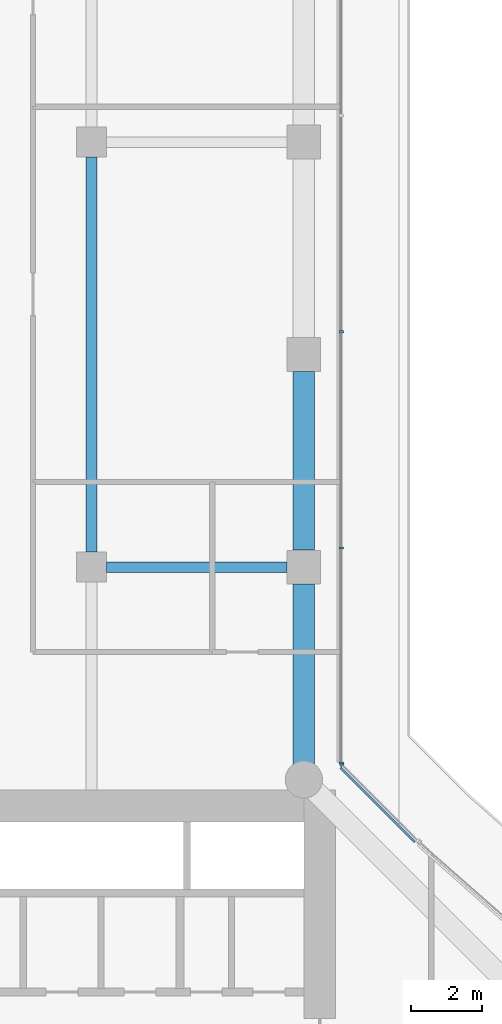
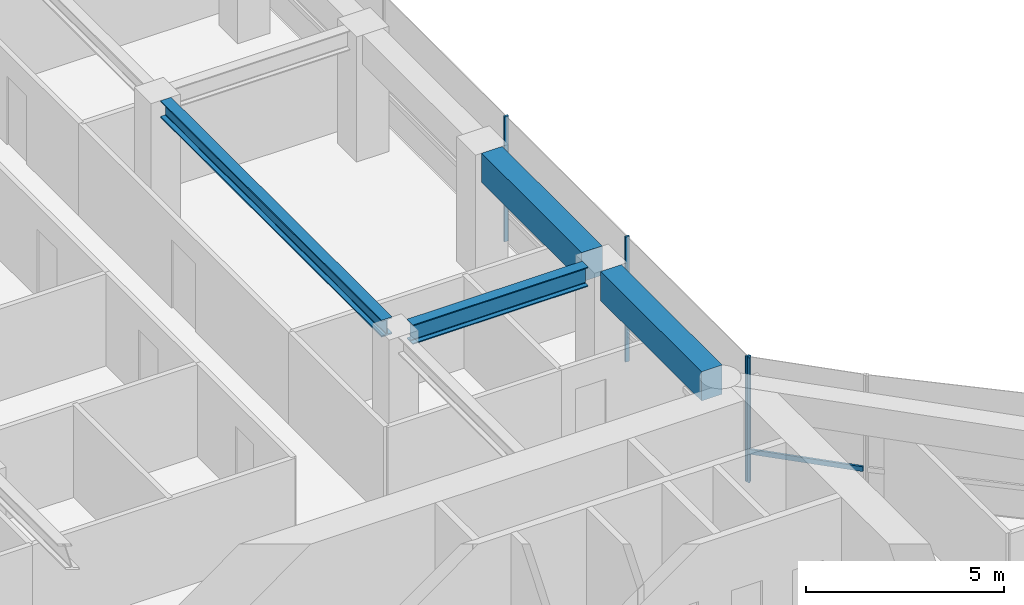
# One storey, part 15 of 29: 5 members, 4 beams, 2 elements without a shape of their own.
"""IFC4 building model written with IfcOpenShell, lengths in metres."""

from ifc_helpers import new_model, si_unit, direction, frame, origin, origin_2d, place, context, subcontext, project, spatial, rectangle, i_section, extrude, material, layer, layer_set, material_profile, profile_set, type_object, element, aggregate, save


model = new_model("IFC4")

# Units and contexts
model_context = context("Model", 3, precision=1e-05, world=origin(), true_north=direction((0.0, 1.0)))
body_context = subcontext(model_context, "Body", "Model", "MODEL_VIEW")
ifc_project = project(units=[si_unit("LENGTHUNIT", "METRE"), si_unit("AREAUNIT", "SQUARE_METRE"), si_unit("VOLUMEUNIT", "CUBIC_METRE"), si_unit("PLANEANGLEUNIT", "RADIAN"), si_unit("MASSUNIT", "GRAM", prefix="KILO")], contexts=[model_context])

# Site, building, storey
site_placement = place(None, origin())
site = spatial("IfcSite", under=ifc_project, at=site_placement, CompositionType="ELEMENT")
building_placement = place(site_placement, origin())
building = spatial("IfcBuilding", under=site, at=building_placement, Name="Welwitschia Terrace Campus", CompositionType="ELEMENT")
storey_placement = place(building_placement, frame((0.0, 0.0, 66.800048828125)))
storey = spatial("IfcBuildingStorey", under=building, at=storey_placement, Name="L15", CompositionType="ELEMENT", Elevation=66.800048828125)

# Beam
ifc_material_1 = material(Name="Steel S355", Category="steel")
ifc_material_profile_1 = material_profile(ifc_material_1, i_section(OverallWidth=0.305908203125, OverallDepth=0.52392578125, WebThickness=0.02099609375, FlangeThickness=0.0400390625, FilletRadius=0.027099609375, at=origin_2d()))
ifc_profile_set_1 = profile_set([ifc_material_profile_1], Name="Steel S355")
beam_type_1 = type_object("IfcBeamType", Name="Interior girder HE 500 M", PredefinedType="BEAM", material=ifc_profile_set_1)
beam_1_placement = place(storey_placement, frame((18.0, 32.425537109375, 3.587890625), z_axis=(0.0, 1.0, 0.0), x_axis=(-1.0, 0.0, 0.0)))
element("IfcBeam", 1, at=beam_1_placement, inside=storey, type_object=beam_type_1, Name="Girder GB2", PredefinedType="BEAM", context=body_context, shape_type="SweptSolid", body=[
    extrude(i_section(OverallWidth=0.305908203125, OverallDepth=0.52392578125, WebThickness=0.02099609375, FlangeThickness=0.0400390625, FilletRadius=0.027099609375, at=origin_2d()), origin(), (0.0, 0.0, 1.0), 11.14892578125),
])

# Curtain wall, member
ifc_material_2 = material(Name="Bronze anodised aluminium", Category="aluminium")
ifc_layer = layer(ifc_material_2, 0.1201171875)
ifc_layer_set = layer_set([ifc_layer], Name="Bronze anodised aluminium")
curtain_wall_type = type_object("IfcCurtainWallType", Name="Curtain wall CW2 tower 6000", PredefinedType="NOTDEFINED", material=ifc_layer_set)
curtain_wall_1_placement = place(storey_placement, origin())
curtain_wall_1 = element("IfcCurtainWall", 2, at=curtain_wall_1_placement, inside=storey, type_object=curtain_wall_type, Name="CW L15.9.0", PredefinedType="NOTDEFINED")
ifc_material_3 = material(Name="Bronze anodised aluminium", Category="aluminium")
ifc_material_profile_2 = material_profile(ifc_material_3, rectangle(XDim=0.1201171875, YDim=0.06005859375, at=origin_2d()))
ifc_profile_set_2 = profile_set([ifc_material_profile_2], Name="Bronze anodised aluminium")
member_type_1 = type_object("IfcMemberType", Name="Mullion 60x120", PredefinedType="MULLION", material=ifc_profile_set_2)
member_1_placement = place(storey_placement, frame((25.0791015625, 26.4169921875, 0.0), z_axis=(0.0, 0.0, 1.0), x_axis=(-0.707106781187, -0.707106781187, 0.0)))
member_1 = element("IfcMember", 3, at=member_1_placement, type_object=member_type_1, Name="Mullion L15.9.0.1", PredefinedType="MULLION", context=body_context, shape_type="SweptSolid", body=[
    extrude(rectangle(XDim=0.1201171875, YDim=0.06005859375, at=origin_2d()), origin(), (0.0, 0.0, 1.0), 3.849853515625),
])

# Curtain wall, members
curtain_wall_2_placement = place(storey_placement, origin())
curtain_wall_2 = element("IfcCurtainWall", 4, at=curtain_wall_2_placement, inside=storey, type_object=curtain_wall_type, Name="CW L15.10.0", PredefinedType="NOTDEFINED")
member_2_placement = place(storey_placement, frame((25.05810546875, 26.46826171875, 0.0), z_axis=(0.0, 0.0, 1.0), x_axis=(-1.0, 0.0, 0.0)))
member_2 = element("IfcMember", 5, at=member_2_placement, type_object=member_type_1, Name="Mullion L15.10.0.0", PredefinedType="MULLION", context=body_context, shape_type="SweptSolid", body=[
    extrude(rectangle(XDim=0.1201171875, YDim=0.06005859375, at=origin_2d()), origin(), (0.0, 0.0, 1.0), 3.849853515625),
])
member_3_placement = place(storey_placement, frame((25.05810546875, 32.54150390625, 0.0), z_axis=(0.0, 0.0, 1.0), x_axis=(-1.0, 0.0, 0.0)))
member_3 = element("IfcMember", 6, at=member_3_placement, type_object=member_type_1, Name="Mullion L15.10.0.1", PredefinedType="MULLION", context=body_context, shape_type="SweptSolid", body=[
    extrude(rectangle(XDim=0.1201171875, YDim=0.06005859375, at=origin_2d()), origin(), (0.0, 0.0, 1.0), 3.849853515625),
])
member_4_placement = place(storey_placement, frame((25.05810546875, 38.644775390625, 0.0), z_axis=(0.0, 0.0, 1.0), x_axis=(-1.0, 0.0, 0.0)))
member_4 = element("IfcMember", 7, at=member_4_placement, type_object=member_type_1, Name="Mullion L15.10.0.2", PredefinedType="MULLION", context=body_context, shape_type="SweptSolid", body=[
    extrude(rectangle(XDim=0.1201171875, YDim=0.06005859375, at=origin_2d()), origin(), (0.0, 0.0, 1.0), 3.849853515625),
])
aggregate(curtain_wall_2, [member_2, member_3, member_4])

# Beams
ifc_material_4 = material(Name="Steel S355", Category="steel")
ifc_material_profile_3 = material_profile(ifc_material_4, i_section(OverallWidth=0.300048828125, OverallDepth=0.60009765625, WebThickness=0.015380859375, FlangeThickness=0.030029296875, FilletRadius=0.027099609375, at=origin_2d()))
ifc_profile_set_3 = profile_set([ifc_material_profile_3], Name="Steel S355")
beam_type_2 = type_object("IfcBeamType", Name="Primary beam HE 600 B", PredefinedType="BEAM", material=ifc_profile_set_3)
beam_2_placement = place(storey_placement, frame((23.5244140625, 32.0, 3.550048828125), z_axis=(-1.0, 0.0, 0.0), x_axis=(0.0, -1.0, 0.0)))
element("IfcBeam", 8, at=beam_2_placement, inside=storey, type_object=beam_type_2, Name="Primary beam PB2", PredefinedType="BEAM", context=body_context, shape_type="SweptSolid", body=[
    extrude(i_section(OverallWidth=0.300048828125, OverallDepth=0.60009765625, WebThickness=0.015380859375, FlangeThickness=0.030029296875, FilletRadius=0.027099609375, at=origin_2d()), origin(), (0.0, 0.0, 1.0), 5.098876953125),
])
ifc_material_5 = material(Name="Concrete C60/75", Category="concrete")
ifc_material_profile_4 = material_profile(ifc_material_5, rectangle(XDim=0.60009765625, YDim=0.89990234375, at=origin_2d()))
ifc_profile_set_4 = profile_set([ifc_material_profile_4], Name="Concrete C60/75")
beam_type_3 = type_object("IfcBeamType", Name="Ring spandrel 600x900", PredefinedType="SPANDREL", material=ifc_profile_set_4)
beam_3_placement = place(storey_placement, frame((24.0, 26.431396484375, 3.39990234375), z_axis=(0.0, 1.0, 0.0), x_axis=(-1.0, 0.0, 0.0)))
element("IfcBeam", 9, at=beam_3_placement, inside=storey, type_object=beam_type_3, Name="Spandrel SP2", PredefinedType="SPANDREL", context=body_context, shape_type="SweptSolid", body=[
    extrude(rectangle(XDim=0.60009765625, YDim=0.89990234375, at=origin_2d()), origin(), (0.0, 0.0, 1.0), 5.093017578125),
])
beam_4_placement = place(storey_placement, frame((24.0, 32.4755859375, 3.39990234375), z_axis=(0.0, 1.0, 0.0), x_axis=(-1.0, 0.0, 0.0)))
element("IfcBeam", 10, at=beam_4_placement, inside=storey, type_object=beam_type_3, Name="Spandrel SP2", PredefinedType="SPANDREL", context=body_context, shape_type="SweptSolid", body=[
    extrude(rectangle(XDim=0.60009765625, YDim=0.89990234375, at=origin_2d()), origin(), (0.0, 0.0, 1.0), 5.048828125),
])

# Member
ifc_material_6 = material(Name="Bronze anodised aluminium", Category="aluminium")
ifc_material_profile_5 = material_profile(ifc_material_6, rectangle(XDim=0.06005859375, YDim=0.14990234375, at=origin_2d()))
ifc_profile_set_5 = profile_set([ifc_material_profile_5], Name="Bronze anodised aluminium")
member_type_2 = type_object("IfcMemberType", Name="Transom 60x150", PredefinedType="USERDEFINED", material=ifc_profile_set_5)
member_5_placement = place(storey_placement, frame((27.134521484375, 24.234375, 1.0), z_axis=(-0.707065633246, 0.707147926732, 0.0), x_axis=(-0.707147926732, -0.707065633246, 0.0)))
member_5 = element("IfcMember", 11, at=member_5_placement, type_object=member_type_2, Name="Transom L15.9.0", ObjectType="TRANSOM", PredefinedType="USERDEFINED", context=body_context, shape_type="SweptSolid", body=[
    extrude(rectangle(XDim=0.06005859375, YDim=0.14990234375, at=origin_2d()), origin(), (0.0, 0.0, 1.0), 2.966796875),
])

aggregate(curtain_wall_1, [member_1, member_5])

save(model, "model.ifc")
